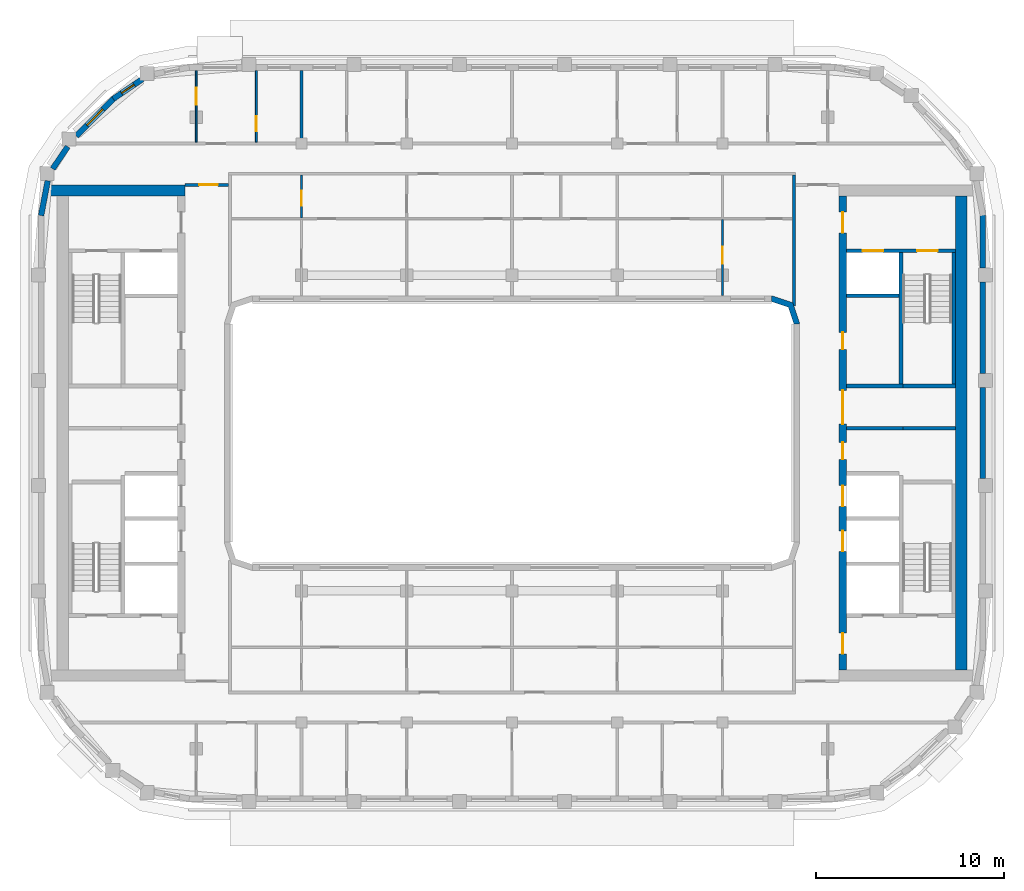
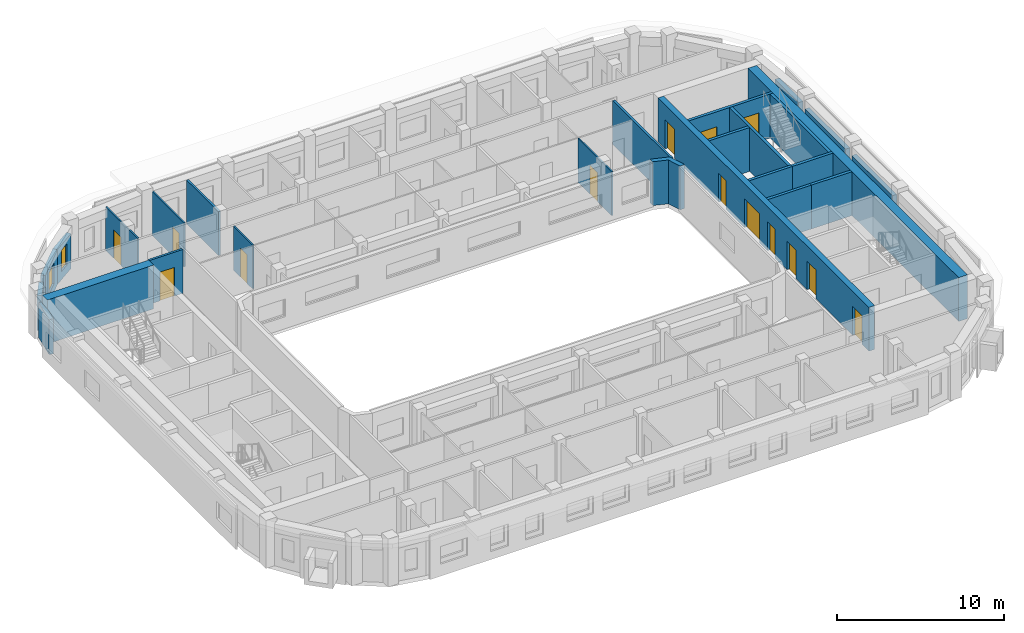
# One storey, part 6 of 16: 26 walls, 14 doors, 2 windows, 16 openings.
"""IFC4 building model written with IfcOpenShell, lengths in metres."""

from ifc_helpers import new_model, si_unit, direction, frame, frame_2d, origin, place, context, subcontext, project, spatial, polyline, rectangle, outline, extrude, material, layer, layer_set, type_object, element, fill, save


model = new_model("IFC4")

# Units and contexts
model_context = context("Model", 3, precision=1e-05, world=origin(), true_north=direction((0.0, 1.0)))
body_context = subcontext(model_context, "Body", "Model", "MODEL_VIEW")
ifc_project = project(units=[si_unit("LENGTHUNIT", "METRE"), si_unit("AREAUNIT", "SQUARE_METRE"), si_unit("VOLUMEUNIT", "CUBIC_METRE"), si_unit("PLANEANGLEUNIT", "RADIAN"), si_unit("MASSUNIT", "GRAM", prefix="KILO")], contexts=[model_context])

# Site, building, storey
site_placement = place(None, origin())
site = spatial("IfcSite", under=ifc_project, at=site_placement, CompositionType="ELEMENT")
building_placement = place(site_placement, origin())
building = spatial("IfcBuilding", under=site, at=building_placement, Name="Kiln Ring Residences", CompositionType="ELEMENT")
storey_placement = place(building_placement, frame((0.0, 0.0, 269.699951171875)))
storey = spatial("IfcBuildingStorey", under=building, at=storey_placement, Name="L70", CompositionType="ELEMENT", Elevation=269.699951171875)

# Walls
ifc_material_1 = material(Name="Gypsum board on steel studs", Category="steel")
ifc_layer_1 = layer(ifc_material_1, 0.199951171875)
ifc_layer_set_1 = layer_set([ifc_layer_1], Name="CORE-PARTITION-200")
wall_type_1 = type_object("IfcWallType", Name="CORE-PARTITION-200", PredefinedType="PARTITIONING", material=ifc_layer_set_1)
wall_1_placement = place(storey_placement, frame((20.800048828125, 0.25, 0.0), z_axis=(0.0, 0.0, 1.0), x_axis=(1.0, 0.0, 0.0)))
element("IfcWall", 1, at=wall_1_placement, inside=storey, type_object=wall_type_1, Name="Core partition east L70 1", PredefinedType="PARTITIONING", context=body_context, shape_type="SweptSolid", body=[
    extrude(rectangle(XDim=2.800048828125, YDim=0.199951171875, at=frame_2d((1.39990234375, 0.0))), origin(), (0.0, 0.0, 1.0), 3.199951171875),
])
ifc_material_2 = material(Name="Gypsum shaft wall system")
ifc_layer_2 = layer(ifc_material_2, 0.199951171875)
ifc_layer_set_2 = layer_set([ifc_layer_2], Name="CORE-SHAFT-WALL-200")
wall_type_2 = type_object("IfcWallType", Name="CORE-SHAFT-WALL-200", PredefinedType="PARTITIONING", material=ifc_layer_set_2)
for number, where, z_axis, x_axis, name in (
    (2, (17.800048828125, 0.25, 0.0), (0.0, 0.0, 1.0), (1.0, 0.0, 0.0), "Core partition east L70 5"),
    (3, (17.800048828125, 2.5, 0.0), (0.0, 0.0, 1.0), (1.0, 0.0, 0.0), "Core partition east L70 6"),
):
    element("IfcWall", number, at=place(storey_placement, frame(where, z_axis=z_axis, x_axis=x_axis)), inside=storey, type_object=wall_type_2, Name=name, PredefinedType="PARTITIONING", context=body_context, shape_type="SweptSolid", body=[
        extrude(rectangle(XDim=3.0, YDim=0.199951171875, at=frame_2d((1.5, 0.0))), origin(), (0.0, 0.0, 1.0), 3.199951171875),
    ])
wall_2_placement = place(storey_placement, frame((17.800048828125, 7.300048828125, 0.0), z_axis=(0.0, 0.0, 1.0), x_axis=(1.0, 0.0, 0.0)))
element("IfcWall", 4, at=wall_2_placement, inside=storey, type_object=wall_type_2, Name="Core partition east L70 7", PredefinedType="PARTITIONING", context=body_context, shape_type="SweptSolid", body=[
    extrude(rectangle(XDim=2.800048828125, YDim=0.199951171875, at=frame_2d((1.39990234375, 0.0))), origin(), (0.0, 0.0, 1.0), 3.199951171875),
])
ifc_material_3 = material(Name="Concrete C40/50", Category="concrete")
ifc_layer_3 = layer(ifc_material_3, 0.199951171875)
ifc_layer_set_3 = layer_set([ifc_layer_3], Name="CORE-WALL-RC200")
wall_type_3 = type_object("IfcWallType", Name="CORE-WALL-RC200", PredefinedType="SHEAR", material=ifc_layer_set_3)
wall_3_placement = place(storey_placement, frame((20.699951171875, 2.60009765625, 0.0), z_axis=(0.0, 0.0, 1.0), x_axis=(0.0, 1.0, 0.0)))
element("IfcWall", 5, at=wall_3_placement, inside=storey, type_object=wall_type_3, Name="Core wall east L70 1", PredefinedType="SHEAR", context=body_context, shape_type="SweptSolid", body=[
    extrude(rectangle(XDim=7.0, YDim=0.199951171875, at=frame_2d((3.5, 0.0))), origin(), (0.0, 0.0, 1.0), 3.199951171875),
])
wall_4_placement = place(storey_placement, frame((20.800048828125, 2.5, 0.0), z_axis=(0.0, 0.0, 1.0), x_axis=(1.0, 0.0, 0.0)))
element("IfcWall", 6, at=wall_4_placement, inside=storey, type_object=wall_type_3, Name="Core wall east L70 3", PredefinedType="SHEAR", context=body_context, shape_type="SweptSolid", body=[
    extrude(rectangle(XDim=2.800048828125, YDim=0.199951171875, at=frame_2d((1.39990234375, 0.0))), origin(), (0.0, 0.0, 1.0), 3.199951171875),
])

# Wall, openings, doors
wall_5_placement = place(storey_placement, frame((17.800048828125, 9.699951171875, 0.0), z_axis=(0.0, 0.0, 1.0), x_axis=(1.0, 0.0, 0.0)))
wall_5 = element("IfcWall", 7, at=wall_5_placement, inside=storey, type_object=wall_type_3, Name="Core wall east L70 9", PredefinedType="SHEAR", context=body_context, shape_type="SweptSolid", body=[
    extrude(rectangle(XDim=5.800048828125, YDim=0.199951171875, at=frame_2d((2.89990234375, 0.0))), origin(), (0.0, 0.0, 1.0), 3.199951171875),
])
opening_1_placement = place(wall_5_placement, frame((0.85009765625, 0.0, 0.0)))
opening_1 = element("IfcOpeningElement", 8, at=opening_1_placement, cuts=wall_5, Name="Opening L70-CE06", PredefinedType="OPENING", context=body_context, shape_type="SweptSolid", body=[
    extrude(rectangle(XDim=1.10009765625, YDim=2.10009765625, at=frame_2d((0.550048828125, 1.050048828125))), frame((0.0, 0.10986328125, 0.0), z_axis=(0.0, -1.0, 0.0), x_axis=(1.0, 0.0, 0.0)), (0.0, 0.0, 1.0), 0.219970703125),
])
opening_2_placement = place(wall_5_placement, frame((3.75, 0.0, 0.0)))
opening_2 = element("IfcOpeningElement", 9, at=opening_2_placement, cuts=wall_5, Name="Opening L70-CE09", PredefinedType="OPENING", context=body_context, shape_type="SweptSolid", body=[
    extrude(rectangle(XDim=1.10009765625, YDim=2.10009765625, at=frame_2d((0.550048828125, 1.050048828125))), frame((0.0, 0.10986328125, 0.0), z_axis=(0.0, -1.0, 0.0), x_axis=(1.0, 0.0, 0.0)), (0.0, 0.0, 1.0), 0.219970703125),
])
ifc_material_4 = material(Name="Steel door leaf", Category="steel")
door_type_1 = type_object("IfcDoorType", Name="CORE-DOOR-LD", OperationType="DOUBLE_DOOR_SLIDING", PredefinedType="DOOR", material=ifc_material_4)
door_1_placement = place(opening_1_placement, origin())
door_1 = element("IfcDoor", 10, at=door_1_placement, inside=storey, type_object=door_type_1, Name="LD E-FF L70-CE06", OperationType="DOUBLE_DOOR_SLIDING", OverallHeight=2.10009765625, OverallWidth=1.10009765625, PredefinedType="DOOR", context=body_context, shape_type="SweptSolid", body=[
    extrude(rectangle(XDim=1.10009765625, YDim=2.10009765625, at=frame_2d((0.550048828125, 1.050048828125))), frame((0.0, 0.02490234375, 0.0), z_axis=(0.0, -1.0, 0.0), x_axis=(1.0, 0.0, 0.0)), (0.0, 0.0, 1.0), 0.050048828125),
])
fill(opening_1, door_1)
ifc_material_5 = material(Name="Steel door leaf", Category="steel")
door_type_2 = type_object("IfcDoorType", Name="CORE-DOOR-STAIR", OperationType="SINGLE_SWING_LEFT", PredefinedType="DOOR", material=ifc_material_5)
door_2_placement = place(opening_2_placement, origin())
door_2 = element("IfcDoor", 11, at=door_2_placement, inside=storey, type_object=door_type_2, Name="Stair E-STN L70-CE09", OperationType="SINGLE_SWING_RIGHT", OverallHeight=2.10009765625, OverallWidth=1.10009765625, PredefinedType="DOOR", context=body_context, shape_type="SweptSolid", body=[
    extrude(rectangle(XDim=1.10009765625, YDim=2.10009765625, at=frame_2d((0.550048828125, 1.050048828125))), frame((0.0, 0.02490234375, 0.0), z_axis=(0.0, -1.0, 0.0), x_axis=(1.0, 0.0, 0.0)), (0.0, 0.0, 1.0), 0.050048828125),
])
fill(opening_2, door_2)

# Wall
wall_6_placement = place(storey_placement, frame((23.5, 2.60009765625, 0.0), z_axis=(0.0, 0.0, 1.0), x_axis=(0.0, 1.0, 0.0)))
element("IfcWall", 12, at=wall_6_placement, inside=storey, type_object=wall_type_3, Name="Core wall east L70 10", PredefinedType="SHEAR", context=body_context, shape_type="SweptSolid", body=[
    extrude(rectangle(XDim=7.0, YDim=0.199951171875, at=frame_2d((3.5, 0.0))), origin(), (0.0, 0.0, 1.0), 3.199951171875),
])

# Wall, openings, doors
ifc_material_6 = material(Name="Concrete C60/75", Category="concrete")
ifc_layer_4 = layer(ifc_material_6, 0.39990234375)
ifc_layer_set_4 = layer_set([ifc_layer_4], Name="CORE-WALL-RC400")
wall_type_4 = type_object("IfcWallType", Name="CORE-WALL-RC400", PredefinedType="SHEAR", material=ifc_layer_set_4)
wall_7_placement = place(storey_placement, frame((17.60009765625, -12.60009765625, 0.0), z_axis=(0.0, 0.0, 1.0), x_axis=(0.0, 1.0, 0.0)))
wall_7 = element("IfcWall", 13, at=wall_7_placement, inside=storey, type_object=wall_type_4, Name="Core wall east L70 6", PredefinedType="SHEAR", context=body_context, shape_type="SweptSolid", body=[
    extrude(rectangle(XDim=25.2001953125, YDim=0.39990234375, at=frame_2d((12.60009765625, 0.0))), origin(), (0.0, 0.0, 1.0), 3.199951171875),
])
opening_3_placement = place(wall_7_placement, frame((6.300048828125, 0.0, 0.0)))
opening_3 = element("IfcOpeningElement", 14, at=opening_3_placement, cuts=wall_7, Name="Opening L70-CE02", PredefinedType="OPENING", context=body_context, shape_type="SweptSolid", body=[
    extrude(rectangle(XDim=1.10009765625, YDim=2.10009765625, at=frame_2d((0.550048828125, 1.050048828125))), frame((0.0, 0.2099609375, 0.0), z_axis=(0.0, -1.0, 0.0), x_axis=(1.0, 0.0, 0.0)), (0.0, 0.0, 1.0), 0.419921875),
])
opening_4_placement = place(wall_7_placement, frame((8.699951171875, 0.0, 0.0)))
opening_4 = element("IfcOpeningElement", 15, at=opening_4_placement, cuts=wall_7, Name="Opening L70-CE03", PredefinedType="OPENING", context=body_context, shape_type="SweptSolid", body=[
    extrude(rectangle(XDim=1.10009765625, YDim=2.10009765625, at=frame_2d((0.550048828125, 1.050048828125))), frame((0.0, 0.2099609375, 0.0), z_axis=(0.0, -1.0, 0.0), x_axis=(1.0, 0.0, 0.0)), (0.0, 0.0, 1.0), 0.419921875),
])
opening_5_placement = place(wall_7_placement, frame((11.199951171875, 0.0, 0.0)))
opening_5 = element("IfcOpeningElement", 16, at=opening_5_placement, cuts=wall_7, Name="Opening L70-CE04", PredefinedType="OPENING", context=body_context, shape_type="SweptSolid", body=[
    extrude(rectangle(XDim=0.89990234375, YDim=2.10009765625, at=frame_2d((0.449951171875, 1.050048828125))), frame((0.0, 0.2099609375, 0.0), z_axis=(0.0, -1.0, 0.0), x_axis=(1.0, 0.0, 0.0)), (0.0, 0.0, 1.0), 0.419921875),
])
opening_6_placement = place(wall_7_placement, frame((17.050048828125, 0.0, 0.0)))
opening_6 = element("IfcOpeningElement", 17, at=opening_6_placement, cuts=wall_7, Name="Opening L70-CE05", PredefinedType="OPENING", context=body_context, shape_type="SweptSolid", body=[
    extrude(rectangle(XDim=0.89990234375, YDim=2.10009765625, at=frame_2d((0.449951171875, 1.050048828125))), frame((0.0, 0.2099609375, 0.0), z_axis=(0.0, -1.0, 0.0), x_axis=(1.0, 0.0, 0.0)), (0.0, 0.0, 1.0), 0.419921875),
])
opening_7_placement = place(wall_7_placement, frame((23.25, 0.0, 0.0)))
opening_7 = element("IfcOpeningElement", 18, at=opening_7_placement, cuts=wall_7, Name="Opening L70-CE07", PredefinedType="OPENING", context=body_context, shape_type="SweptSolid", body=[
    extrude(rectangle(XDim=1.10009765625, YDim=2.10009765625, at=frame_2d((0.550048828125, 1.050048828125))), frame((0.0, 0.2099609375, 0.0), z_axis=(0.0, -1.0, 0.0), x_axis=(1.0, 0.0, 0.0)), (0.0, 0.0, 1.0), 0.419921875),
])
opening_8_placement = place(wall_7_placement, frame((0.85009765625, 0.0, 0.0)))
opening_8 = element("IfcOpeningElement", 19, at=opening_8_placement, cuts=wall_7, Name="Opening L70-CE08", PredefinedType="OPENING", context=body_context, shape_type="SweptSolid", body=[
    extrude(rectangle(XDim=1.10009765625, YDim=2.10009765625, at=frame_2d((0.550048828125, 1.050048828125))), frame((0.0, 0.2099609375, 0.0), z_axis=(0.0, -1.0, 0.0), x_axis=(1.0, 0.0, 0.0)), (0.0, 0.0, 1.0), 0.419921875),
])
opening_9_placement = place(wall_7_placement, frame((13.074951171875, 0.0, 0.0)))
opening_9 = element("IfcOpeningElement", 20, at=opening_9_placement, cuts=wall_7, Name="Opening L70-CE11", PredefinedType="OPENING", context=body_context, shape_type="SweptSolid", body=[
    extrude(rectangle(XDim=1.800048828125, YDim=2.10009765625, at=frame_2d((0.89990234375, 1.050048828125))), frame((0.0, 0.2099609375, 0.0), z_axis=(0.0, -1.0, 0.0), x_axis=(1.0, 0.0, 0.0)), (0.0, 0.0, 1.0), 0.419921875),
])
door_3_placement = place(opening_3_placement, origin())
door_3 = element("IfcDoor", 21, at=door_3_placement, inside=storey, type_object=door_type_1, Name="LD E-H1 L70-CE02", OperationType="DOUBLE_DOOR_SLIDING", OverallHeight=2.10009765625, OverallWidth=1.10009765625, PredefinedType="DOOR", context=body_context, shape_type="SweptSolid", body=[
    extrude(rectangle(XDim=1.10009765625, YDim=2.10009765625, at=frame_2d((0.550048828125, 1.050048828125))), frame((0.0, 0.02490234375, 0.0), z_axis=(0.0, -1.0, 0.0), x_axis=(1.0, 0.0, 0.0)), (0.0, 0.0, 1.0), 0.050048828125),
])
fill(opening_3, door_3)
door_4_placement = place(opening_4_placement, origin())
door_4 = element("IfcDoor", 22, at=door_4_placement, inside=storey, type_object=door_type_1, Name="LD E-H2 L70-CE03", OperationType="DOUBLE_DOOR_SLIDING", OverallHeight=2.10009765625, OverallWidth=1.10009765625, PredefinedType="DOOR", context=body_context, shape_type="SweptSolid", body=[
    extrude(rectangle(XDim=1.10009765625, YDim=2.10009765625, at=frame_2d((0.550048828125, 1.050048828125))), frame((0.0, 0.02490234375, 0.0), z_axis=(0.0, -1.0, 0.0), x_axis=(1.0, 0.0, 0.0)), (0.0, 0.0, 1.0), 0.050048828125),
])
fill(opening_4, door_4)
ifc_material_7 = material(Name="Steel door leaf", Category="steel")
door_type_3 = type_object("IfcDoorType", Name="CORE-DOOR-LOBBY", OperationType="SINGLE_SWING_LEFT", PredefinedType="DOOR", material=ifc_material_7)
door_5_placement = place(opening_7_placement, origin())
door_5 = element("IfcDoor", 23, at=door_5_placement, inside=storey, type_object=door_type_3, Name="FFL L70-CE07", OperationType="SINGLE_SWING_LEFT", OverallHeight=2.10009765625, OverallWidth=1.10009765625, PredefinedType="DOOR", context=body_context, shape_type="SweptSolid", body=[
    extrude(rectangle(XDim=1.10009765625, YDim=2.10009765625, at=frame_2d((0.550048828125, 1.050048828125))), frame((0.0, 0.02490234375, 0.0), z_axis=(0.0, -1.0, 0.0), x_axis=(1.0, 0.0, 0.0)), (0.0, 0.0, 1.0), 0.050048828125),
])
fill(opening_7, door_5)
door_6_placement = place(opening_8_placement, origin())
door_6 = element("IfcDoor", 24, at=door_6_placement, inside=storey, type_object=door_type_3, Name="SVL L70-CE08", OperationType="SINGLE_SWING_RIGHT", OverallHeight=2.10009765625, OverallWidth=1.10009765625, PredefinedType="DOOR", context=body_context, shape_type="SweptSolid", body=[
    extrude(rectangle(XDim=1.10009765625, YDim=2.10009765625, at=frame_2d((0.550048828125, 1.050048828125))), frame((0.0, 0.02490234375, 0.0), z_axis=(0.0, -1.0, 0.0), x_axis=(1.0, 0.0, 0.0)), (0.0, 0.0, 1.0), 0.050048828125),
])
fill(opening_8, door_6)
ifc_material_8 = material(Name="Steel door leaf", Category="steel")
door_type_4 = type_object("IfcDoorType", Name="CORE-DOOR-PASS", OperationType="DOUBLE_DOOR_SINGLE_SWING", PredefinedType="DOOR", material=ifc_material_8)
door_7_placement = place(opening_9_placement, origin())
door_7 = element("IfcDoor", 25, at=door_7_placement, inside=storey, type_object=door_type_4, Name="Core passage L70-CE11", OperationType="DOUBLE_DOOR_SINGLE_SWING", OverallHeight=2.10009765625, OverallWidth=1.800048828125, PredefinedType="DOOR", context=body_context, shape_type="SweptSolid", body=[
    extrude(rectangle(XDim=1.800048828125, YDim=2.10009765625, at=frame_2d((0.89990234375, 1.050048828125))), frame((0.0, 0.02490234375, 0.0), z_axis=(0.0, -1.0, 0.0), x_axis=(1.0, 0.0, 0.0)), (0.0, 0.0, 1.0), 0.050048828125),
])
fill(opening_9, door_7)
ifc_material_9 = material(Name="Steel door leaf", Category="steel")
door_type_5 = type_object("IfcDoorType", Name="CORE-DOOR-ROOM", OperationType="SINGLE_SWING_LEFT", PredefinedType="DOOR", material=ifc_material_9)
door_8_placement = place(opening_5_placement, origin())
door_8 = element("IfcDoor", 26, at=door_8_placement, inside=storey, type_object=door_type_5, Name="Store L70-CE04", OperationType="SINGLE_SWING_LEFT", OverallHeight=2.10009765625, OverallWidth=0.89990234375, PredefinedType="DOOR", context=body_context, shape_type="SweptSolid", body=[
    extrude(rectangle(XDim=0.89990234375, YDim=2.10009765625, at=frame_2d((0.449951171875, 1.050048828125))), frame((0.0, 0.02490234375, 0.0), z_axis=(0.0, -1.0, 0.0), x_axis=(1.0, 0.0, 0.0)), (0.0, 0.0, 1.0), 0.050048828125),
])
fill(opening_5, door_8)
door_9_placement = place(opening_6_placement, origin())
door_9 = element("IfcDoor", 27, at=door_9_placement, inside=storey, type_object=door_type_5, Name="Housekeeping store L70-CE05", OperationType="SINGLE_SWING_RIGHT", OverallHeight=2.10009765625, OverallWidth=0.89990234375, PredefinedType="DOOR", context=body_context, shape_type="SweptSolid", body=[
    extrude(rectangle(XDim=0.89990234375, YDim=2.10009765625, at=frame_2d((0.449951171875, 1.050048828125))), frame((0.0, 0.02490234375, 0.0), z_axis=(0.0, -1.0, 0.0), x_axis=(1.0, 0.0, 0.0)), (0.0, 0.0, 1.0), 0.050048828125),
])
fill(opening_6, door_9)

# Walls
ifc_material_10 = material(Name="Concrete C60/75", Category="concrete")
ifc_layer_5 = layer(ifc_material_10, 0.60009765625)
ifc_layer_set_5 = layer_set([ifc_layer_5], Name="CORE-WALL-RC600")
wall_type_5 = type_object("IfcWallType", Name="CORE-WALL-RC600", PredefinedType="SHEAR", material=ifc_layer_set_5)
wall_8_placement = place(storey_placement, frame((-17.39990234375, 12.89990234375, 0.0), z_axis=(0.0, 0.0, 1.0), x_axis=(-1.0, 0.0, 0.0)))
element("IfcWall", 28, at=wall_8_placement, inside=storey, type_object=wall_type_5, Name="Core wall west L70 4", PredefinedType="SHEAR", context=body_context, shape_type="SweptSolid", body=[
    extrude(rectangle(XDim=7.320068359375, YDim=0.60009765625, at=frame_2d((3.66015625, 0.0))), origin(), (0.0, 0.0, 1.0), 3.199951171875),
])
wall_9_placement = place(storey_placement, frame((23.89990234375, -12.60009765625, 0.0), z_axis=(0.0, 0.0, 1.0), x_axis=(0.0, 1.0, 0.0)))
element("IfcWall", 29, at=wall_9_placement, inside=storey, type_object=wall_type_5, Name="Core wall east L70 7", PredefinedType="SHEAR", context=body_context, shape_type="SweptSolid", body=[
    extrude(rectangle(XDim=25.2001953125, YDim=0.60009765625, at=frame_2d((12.60009765625, 0.0))), origin(), (0.0, 0.0, 1.0), 3.199951171875),
])
ifc_material_11 = material(Name="Brick masonry, dark clay brick", Category="masonry")
ifc_layer_6 = layer(ifc_material_11, 0.300048828125)
ifc_layer_set_6 = layer_set([ifc_layer_6], Name="EW-300 BRICK WALL")
wall_type_6 = type_object("IfcWallType", Name="EW-300 BRICK WALL", PredefinedType="SOLIDWALL", material=ifc_layer_set_6)
wall_10_placement = place(storey_placement, frame((25.050048828125, -2.425048828125, 0.0), z_axis=(0.0, 0.0, 1.0), x_axis=(0.0, 1.0, 0.0)))
element("IfcWall", 30, at=wall_10_placement, inside=storey, type_object=wall_type_6, Name="Facade wall L70 18", PredefinedType="SOLIDWALL", context=body_context, shape_type="SweptSolid", body=[
    extrude(rectangle(XDim=4.85009765625, YDim=0.300048828125, at=frame_2d((2.425048828125, 0.0))), origin(), (0.0, 0.0, 1.0), 2.550048828125),
])
wall_11_placement = place(storey_placement, frame((25.050048828125, 3.175048828125, 0.0), z_axis=(0.0, 0.0, 1.0), x_axis=(0.0, 1.0, 0.0)))
element("IfcWall", 31, at=wall_11_placement, inside=storey, type_object=wall_type_6, Name="Facade wall L70 19", PredefinedType="SOLIDWALL", context=body_context, shape_type="SweptSolid", body=[
    extrude(rectangle(XDim=4.849853515625, YDim=0.300048828125, at=frame_2d((2.4248046875, 0.0))), origin(), (0.0, 0.0, 1.0), 2.550048828125),
])
wall_12_placement = place(storey_placement, frame((25.050048828125, 8.77490234375, 0.0), z_axis=(0.0, 0.0, 1.0), x_axis=(0.0, 1.0, 0.0)))
element("IfcWall", 32, at=wall_12_placement, inside=storey, type_object=wall_type_6, Name="Facade wall L70 20", PredefinedType="SOLIDWALL", context=body_context, shape_type="SweptSolid", body=[
    extrude(rectangle(XDim=2.8251953125, YDim=0.300048828125, at=frame_2d((1.41259765625, 0.0))), origin(), (0.0, 0.0, 1.0), 2.550048828125),
])

# Wall, opening, window
wall_13_placement = place(storey_placement, frame((-19.656982421875, 18.836181640625, 0.0), z_axis=(0.0, 0.0, 1.0), x_axis=(-0.82704477487, -0.562136051469, 0.0)))
wall_13 = element("IfcWall", 33, at=wall_13_placement, inside=storey, type_object=wall_type_6, Name="Facade wall L70 34", PredefinedType="SOLIDWALL", context=body_context, shape_type="SweptSolid", body=[
    extrude(rectangle(XDim=1.881103515625, YDim=0.300048828125, at=frame_2d((0.9404296875, 0.0))), origin(), (0.0, 0.0, 1.0), 2.550048828125),
])
opening_10_placement = place(wall_13_placement, frame((0.54052734375, 0.0, 0.60009765625)))
opening_10 = element("IfcOpeningElement", 34, at=opening_10_placement, cuts=wall_13, Name="Opening W5", PredefinedType="OPENING", context=body_context, shape_type="SweptSolid", body=[
    extrude(rectangle(XDim=0.800048828125, YDim=1.550048828125, at=frame_2d((0.39990234375, 0.77490234375))), frame((0.0, 0.159912109375, 0.0), z_axis=(0.0, -1.0, 0.0), x_axis=(1.0, 0.0, 0.0)), (0.0, 0.0, 1.0), 0.320068359375),
])
ifc_material_12 = material(Name="Aluminium frame with double glazing", Category="aluminium")
window_type_1 = type_object("IfcWindowType", Name="WINDOW 800 x 1550", PartitioningType="SINGLE_PANEL", PredefinedType="WINDOW", material=ifc_material_12)
window_1_placement = place(opening_10_placement, origin())
window_1 = element("IfcWindow", 35, at=window_1_placement, inside=storey, type_object=window_type_1, Name="Window L70 34", OverallHeight=1.550048828125, OverallWidth=0.800048828125, PartitioningType="SINGLE_PANEL", PredefinedType="WINDOW", context=body_context, shape_type="SweptSolid", body=[
    extrude(rectangle(XDim=0.800048828125, YDim=1.550048828125, at=frame_2d((0.39990234375, 0.77490234375))), frame((0.0, 0.030029296875, 0.0), z_axis=(0.0, -1.0, 0.0), x_axis=(1.0, 0.0, 0.0)), (0.0, 0.0, 1.0), 0.06005859375),
])
fill(opening_10, window_1)

wall_14_placement = place(storey_placement, frame((-21.19091796875, 17.796875, 0.0), z_axis=(0.0, 0.0, 1.0), x_axis=(-0.707106781187, -0.707106781187, 0.0)))
wall_14 = element("IfcWall", 36, at=wall_14_placement, inside=storey, type_object=wall_type_6, Name="Facade wall L70 35", PredefinedType="SOLIDWALL", context=body_context, shape_type="SweptSolid", body=[
    extrude(rectangle(XDim=2.824951171875, YDim=0.300048828125, at=frame_2d((1.41259765625, 0.0))), origin(), (0.0, 0.0, 1.0), 2.550048828125),
])
opening_11_placement = place(wall_14_placement, frame((0.8125, 0.0, 0.60009765625)))
opening_11 = element("IfcOpeningElement", 37, at=opening_11_placement, cuts=wall_14, Name="Opening W1", PredefinedType="OPENING", context=body_context, shape_type="SweptSolid", body=[
    extrude(rectangle(XDim=1.199951171875, YDim=1.550048828125, at=frame_2d((0.60009765625, 0.77490234375))), frame((0.0, 0.159912109375, 0.0), z_axis=(0.0, -1.0, 0.0), x_axis=(1.0, 0.0, 0.0)), (0.0, 0.0, 1.0), 0.320068359375),
])
ifc_material_13 = material(Name="Aluminium frame with double glazing", Category="aluminium")
window_type_2 = type_object("IfcWindowType", Name="WINDOW 1200 x 1550", PartitioningType="SINGLE_PANEL", PredefinedType="WINDOW", material=ifc_material_13)
window_2_placement = place(opening_11_placement, origin())
window_2 = element("IfcWindow", 38, at=window_2_placement, inside=storey, type_object=window_type_2, Name="Window L70 35", OverallHeight=1.550048828125, OverallWidth=1.199951171875, PartitioningType="SINGLE_PANEL", PredefinedType="WINDOW", context=body_context, shape_type="SweptSolid", body=[
    extrude(rectangle(XDim=1.199951171875, YDim=1.550048828125, at=frame_2d((0.60009765625, 0.77490234375))), frame((0.0, 0.030029296875, 0.0), z_axis=(0.0, -1.0, 0.0), x_axis=(1.0, 0.0, 0.0)), (0.0, 0.0, 1.0), 0.06005859375),
])
fill(opening_11, window_2)

# Walls
wall_15_placement = place(storey_placement, frame((-23.634033203125, 15.2373046875, 0.0), z_axis=(0.0, 0.0, 1.0), x_axis=(-0.562099454787, -0.827069648173, 0.0)))
element("IfcWall", 39, at=wall_15_placement, inside=storey, type_object=wall_type_6, Name="Facade wall L70 36", PredefinedType="SOLIDWALL", context=body_context, shape_type="SweptSolid", body=[
    extrude(rectangle(XDim=1.42724609375, YDim=0.300048828125, at=frame_2d((0.713623046875, 0.0))), origin(), (0.0, 0.0, 1.0), 2.550048828125),
])
wall_16_placement = place(storey_placement, frame((-24.7001953125, 13.419677734375, 0.0), z_axis=(0.0, 0.0, 1.0), x_axis=(-0.187398348234, -0.982284001233, 0.0)))
element("IfcWall", 40, at=wall_16_placement, inside=storey, type_object=wall_type_6, Name="Facade wall L70 37", PredefinedType="SOLIDWALL", context=body_context, shape_type="SweptSolid", body=[
    extrude(rectangle(XDim=1.88134765625, YDim=0.300048828125, at=frame_2d((0.940673828125, 0.0))), origin(), (0.0, 0.0, 1.0), 2.550048828125),
])
wall_17_placement = place(storey_placement, origin())
element("IfcWall", 41, at=wall_17_placement, inside=storey, type_object=wall_type_6, Name="Corner wall L70 2", PredefinedType="SOLIDWALL", context=body_context, shape_type="SweptSolid", body=[
    extrude(outline(polyline([(14.937255859375, 6.937255859375), (13.8486328125, 7.300048828125), (13.800048828125, 7.300048828125), (13.800048828125, 7.0), (14.699951171875, 6.699951171875), (15.0, 5.800048828125), (15.300048828125, 5.800048828125), (15.300048828125, 5.8486328125), (14.937255859375, 6.937255859375)])), origin(), (0.0, 0.0, 1.0), 3.199951171875),
])

# Wall, opening, door
ifc_material_14 = material(Name="Gypsum board on steel studs", Category="steel")
ifc_layer_7 = layer(ifc_material_14, 0.10009765625)
ifc_layer_set_7 = layer_set([ifc_layer_7], Name="PARTITION-100")
wall_type_7 = type_object("IfcWallType", Name="PARTITION-100", PredefinedType="PARTITIONING", material=ifc_layer_set_7)
wall_18_placement = place(storey_placement, frame((-16.800048828125, 15.47509765625, 0.0), z_axis=(0.0, 0.0, 1.0), x_axis=(0.0, 1.0, 0.0)))
wall_18 = element("IfcWall", 42, at=wall_18_placement, inside=storey, type_object=wall_type_7, Name="Partition 011", PredefinedType="PARTITIONING", context=body_context, shape_type="SweptSolid", body=[
    extrude(rectangle(XDim=3.804931640625, YDim=0.10009765625, at=frame_2d((1.90234375, 0.0))), origin(), (0.0, 0.0, 1.0), 3.199951171875),
])
opening_12_placement = place(wall_18_placement, frame((1.985107421875, 0.0, 0.0)))
opening_12 = element("IfcOpeningElement", 43, at=opening_12_placement, cuts=wall_18, Name="Opening L70-D020", PredefinedType="OPENING", context=body_context, shape_type="SweptSolid", body=[
    extrude(rectangle(XDim=0.89990234375, YDim=2.10009765625, at=frame_2d((0.449951171875, 1.050048828125))), frame((0.0, 0.06005859375, 0.0), z_axis=(0.0, -1.0, 0.0), x_axis=(1.0, 0.0, 0.0)), (0.0, 0.0, 1.0), 0.1201171875),
])
ifc_material_15 = material(Name="Timber door leaf", Category="wood")
door_type_6 = type_object("IfcDoorType", Name="FLAT-DOOR-900-PL", OperationType="SINGLE_SWING_LEFT", PredefinedType="DOOR", material=ifc_material_15)
door_10_placement = place(opening_12_placement, origin())
door_10 = element("IfcDoor", 44, at=door_10_placement, inside=storey, type_object=door_type_6, Name="Door L70-D020", OperationType="SINGLE_SWING_LEFT", OverallHeight=2.10009765625, OverallWidth=0.89990234375, PredefinedType="DOOR", context=body_context, shape_type="SweptSolid", body=[
    extrude(rectangle(XDim=0.89990234375, YDim=2.10009765625, at=frame_2d((0.449951171875, 1.050048828125))), frame((0.0, 0.02490234375, 0.0), z_axis=(0.0, -1.0, 0.0), x_axis=(1.0, 0.0, 0.0)), (0.0, 0.0, 1.0), 0.050048828125),
])
fill(opening_12, door_10)

wall_19_placement = place(storey_placement, frame((-13.60009765625, 15.47509765625, 0.0), z_axis=(0.0, 0.0, 1.0), x_axis=(0.0, 1.0, 0.0)))
wall_19 = element("IfcWall", 45, at=wall_19_placement, inside=storey, type_object=wall_type_7, Name="Partition 015", PredefinedType="PARTITIONING", context=body_context, shape_type="SweptSolid", body=[
    extrude(rectangle(XDim=3.804931640625, YDim=0.10009765625, at=frame_2d((1.90234375, 0.0))), origin(), (0.0, 0.0, 1.0), 3.199951171875),
])
opening_13_placement = place(wall_19_placement, frame((0.575927734375, 0.0, 0.0)))
opening_13 = element("IfcOpeningElement", 46, at=opening_13_placement, cuts=wall_19, Name="Opening L70-D019", PredefinedType="OPENING", context=body_context, shape_type="SweptSolid", body=[
    extrude(rectangle(XDim=0.800048828125, YDim=2.10009765625, at=frame_2d((0.39990234375, 1.050048828125))), frame((0.0, 0.06005859375, 0.0), z_axis=(0.0, -1.0, 0.0), x_axis=(1.0, 0.0, 0.0)), (0.0, 0.0, 1.0), 0.1201171875),
])
ifc_material_16 = material(Name="Timber door leaf", Category="wood")
door_type_7 = type_object("IfcDoorType", Name="FLAT-DOOR-800-PL", OperationType="SINGLE_SWING_LEFT", PredefinedType="DOOR", material=ifc_material_16)
door_11_placement = place(opening_13_placement, origin())
door_11 = element("IfcDoor", 47, at=door_11_placement, inside=storey, type_object=door_type_7, Name="Door L70-D019", OperationType="SINGLE_SWING_LEFT", OverallHeight=2.10009765625, OverallWidth=0.800048828125, PredefinedType="DOOR", context=body_context, shape_type="SweptSolid", body=[
    extrude(rectangle(XDim=0.800048828125, YDim=2.10009765625, at=frame_2d((0.39990234375, 1.050048828125))), frame((0.0, 0.02490234375, 0.0), z_axis=(0.0, -1.0, 0.0), x_axis=(1.0, 0.0, 0.0)), (0.0, 0.0, 1.0), 0.050048828125),
])
fill(opening_13, door_11)

wall_20_placement = place(storey_placement, frame((-11.199951171875, 11.449951171875, 0.0), z_axis=(0.0, 0.0, 1.0), x_axis=(0.0, 1.0, 0.0)))
wall_20 = element("IfcWall", 48, at=wall_20_placement, inside=storey, type_object=wall_type_7, Name="Partition 019", PredefinedType="PARTITIONING", context=body_context, shape_type="SweptSolid", body=[
    extrude(rectangle(XDim=2.275146484375, YDim=0.10009765625, at=frame_2d((1.1376953125, 0.0))), origin(), (0.0, 0.0, 1.0), 3.199951171875),
])
opening_14_placement = place(wall_20_placement, frame((0.64892578125, 0.0, 0.0)))
opening_14 = element("IfcOpeningElement", 49, at=opening_14_placement, cuts=wall_20, Name="Opening L70-D007", PredefinedType="OPENING", context=body_context, shape_type="SweptSolid", body=[
    extrude(rectangle(XDim=0.800048828125, YDim=2.10009765625, at=frame_2d((0.39990234375, 1.050048828125))), frame((0.0, 0.06005859375, 0.0), z_axis=(0.0, -1.0, 0.0), x_axis=(1.0, 0.0, 0.0)), (0.0, 0.0, 1.0), 0.1201171875),
])
door_12_placement = place(opening_14_placement, origin())
door_12 = element("IfcDoor", 50, at=door_12_placement, inside=storey, type_object=door_type_7, Name="Door L70-D007", OperationType="SINGLE_SWING_LEFT", OverallHeight=2.10009765625, OverallWidth=0.800048828125, PredefinedType="DOOR", context=body_context, shape_type="SweptSolid", body=[
    extrude(rectangle(XDim=0.800048828125, YDim=2.10009765625, at=frame_2d((0.39990234375, 1.050048828125))), frame((0.0, 0.02490234375, 0.0), z_axis=(0.0, -1.0, 0.0), x_axis=(1.0, 0.0, 0.0)), (0.0, 0.0, 1.0), 0.050048828125),
])
fill(opening_14, door_12)

wall_21_placement = place(storey_placement, frame((11.199951171875, 7.320068359375, 0.0), z_axis=(0.0, 0.0, 1.0), x_axis=(0.0, 1.0, 0.0)))
wall_21 = element("IfcWall", 51, at=wall_21_placement, inside=storey, type_object=wall_type_7, Name="Partition 048", PredefinedType="PARTITIONING", context=body_context, shape_type="SweptSolid", body=[
    extrude(rectangle(XDim=4.030029296875, YDim=0.10009765625, at=frame_2d((2.01513671875, 0.0))), origin(), (0.0, 0.0, 1.0), 3.199951171875),
])
opening_15_placement = place(wall_21_placement, frame((1.699951171875, 0.0, 0.0)))
opening_15 = element("IfcOpeningElement", 52, at=opening_15_placement, cuts=wall_21, Name="Opening L70-D017", PredefinedType="OPENING", context=body_context, shape_type="SweptSolid", body=[
    extrude(rectangle(XDim=0.89990234375, YDim=2.10009765625, at=frame_2d((0.449951171875, 1.050048828125))), frame((0.0, 0.06005859375, 0.0), z_axis=(0.0, -1.0, 0.0), x_axis=(1.0, 0.0, 0.0)), (0.0, 0.0, 1.0), 0.1201171875),
])
door_13_placement = place(opening_15_placement, origin())
door_13 = element("IfcDoor", 53, at=door_13_placement, inside=storey, type_object=door_type_6, Name="Door L70-D017", OperationType="SINGLE_SWING_RIGHT", OverallHeight=2.10009765625, OverallWidth=0.89990234375, PredefinedType="DOOR", context=body_context, shape_type="SweptSolid", body=[
    extrude(rectangle(XDim=0.89990234375, YDim=2.10009765625, at=frame_2d((0.449951171875, 1.050048828125))), frame((0.0, 0.02490234375, 0.0), z_axis=(0.0, -1.0, 0.0), x_axis=(1.0, 0.0, 0.0)), (0.0, 0.0, 1.0), 0.050048828125),
])
fill(opening_15, door_13)

ifc_material_17 = material(Name="Brick masonry partition", Category="masonry")
ifc_layer_8 = layer(ifc_material_17, 0.14990234375)
ifc_layer_set_8 = layer_set([ifc_layer_8], Name="PARTITION-150-ei60")
wall_type_8 = type_object("IfcWallType", Name="PARTITION-150-ei60", PredefinedType="PARTITIONING", material=ifc_layer_set_8)
wall_22_placement = place(storey_placement, frame((-17.39990234375, 13.199951171875, 0.0), z_axis=(0.0, 0.0, 1.0), x_axis=(1.0, 0.0, 0.0)))
wall_22 = element("IfcWall", 54, at=wall_22_placement, inside=storey, type_object=wall_type_8, Name="Partition 006", PredefinedType="PARTITIONING", context=body_context, shape_type="SweptSolid", body=[
    extrude(rectangle(XDim=2.324951171875, YDim=0.14990234375, at=frame_2d((1.16259765625, 0.0))), origin(), (0.0, 0.0, 1.0), 3.199951171875),
])
opening_16_placement = place(wall_22_placement, frame((0.75, 0.0, 0.0)))
opening_16 = element("IfcOpeningElement", 55, at=opening_16_placement, cuts=wall_22, Name="Opening L70-D001", PredefinedType="OPENING", context=body_context, shape_type="SweptSolid", body=[
    extrude(rectangle(XDim=1.0, YDim=2.10009765625, at=frame_2d((0.5, 1.050048828125))), frame((0.0, 0.0849609375, 0.0), z_axis=(0.0, -1.0, 0.0), x_axis=(1.0, 0.0, 0.0)), (0.0, 0.0, 1.0), 0.169921875),
])
ifc_material_18 = material(Name="Steel faced fire door leaf", Category="steel")
door_type_8 = type_object("IfcDoorType", Name="FLAT-DOOR-1000-FR", OperationType="SINGLE_SWING_LEFT", PredefinedType="DOOR", material=ifc_material_18)
door_14_placement = place(opening_16_placement, origin())
door_14 = element("IfcDoor", 56, at=door_14_placement, inside=storey, type_object=door_type_8, Name="Door L70-D001", OperationType="SINGLE_SWING_RIGHT", OverallHeight=2.10009765625, OverallWidth=1.0, PredefinedType="DOOR", context=body_context, shape_type="SweptSolid", body=[
    extrude(rectangle(XDim=1.0, YDim=2.10009765625, at=frame_2d((0.5, 1.050048828125))), frame((0.0, 0.02490234375, 0.0), z_axis=(0.0, -1.0, 0.0), x_axis=(1.0, 0.0, 0.0)), (0.0, 0.0, 1.0), 0.050048828125),
])
fill(opening_16, door_14)

# Walls
wall_23_placement = place(storey_placement, frame((-11.199951171875, 15.47509765625, 0.0), z_axis=(0.0, 0.0, 1.0), x_axis=(0.0, 1.0, 0.0)))
element("IfcWall", 57, at=wall_23_placement, inside=storey, type_object=wall_type_8, Name="Partition 021", PredefinedType="PARTITIONING", context=body_context, shape_type="SweptSolid", body=[
    extrude(rectangle(XDim=3.804931640625, YDim=0.14990234375, at=frame_2d((1.90234375, 0.0))), origin(), (0.0, 0.0, 1.0), 3.199951171875),
])
wall_24_placement = place(storey_placement, frame((15.0, 6.768798828125, 0.0), z_axis=(0.0, 0.0, 1.0), x_axis=(0.0, 1.0, 0.0)))
element("IfcWall", 58, at=wall_24_placement, inside=storey, type_object=wall_type_8, Name="Partition 053", PredefinedType="PARTITIONING", context=body_context, shape_type="SweptSolid", body=[
    extrude(rectangle(XDim=6.956298828125, YDim=0.14990234375, at=frame_2d((3.47802734375, 0.0))), origin(), (0.0, 0.0, 1.0), 3.199951171875),
])

save(model, "model.ifc")
